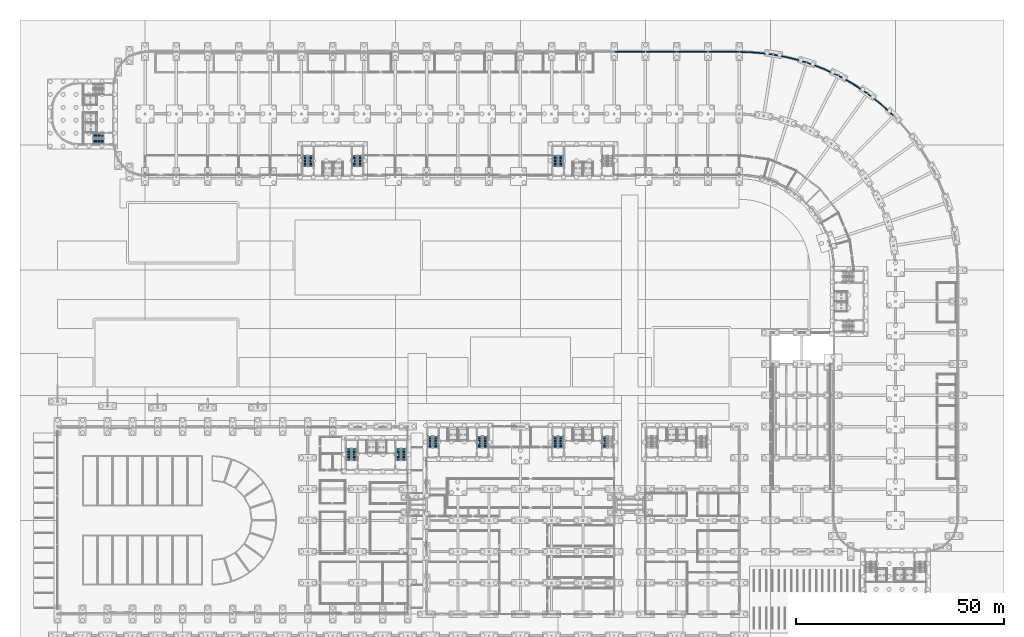
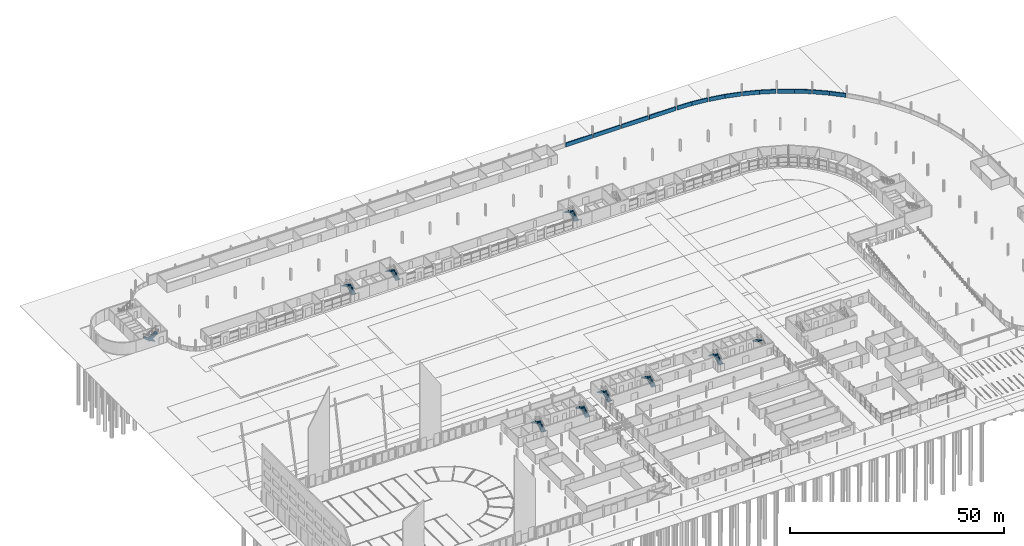
# One storey, part 95 of 130: 19 stair flights, 14 walls, 10 elements without a shape of their own.
"""IFC4 building model written with IfcOpenShell, lengths in metres."""

from ifc_helpers import new_model, si_unit, direction, frame, frame_2d, origin, place, context, subcontext, project, spatial, polyline, rectangle, outline, extrude, material, layer, layer_set, type_object, element, aggregate, save


model = new_model("IFC4")

# Units and contexts
model_context = context("Model", 3, precision=1e-05, world=origin(), true_north=direction((0.0, 1.0)))
body_context = subcontext(model_context, "Body", "Model", "MODEL_VIEW")
ifc_project = project(units=[si_unit("LENGTHUNIT", "METRE"), si_unit("AREAUNIT", "SQUARE_METRE"), si_unit("VOLUMEUNIT", "CUBIC_METRE"), si_unit("PLANEANGLEUNIT", "RADIAN"), si_unit("MASSUNIT", "GRAM", prefix="KILO")], contexts=[model_context])

# Site, building, storey
site_placement = place(None, origin())
site = spatial("IfcSite", under=ifc_project, at=site_placement, CompositionType="ELEMENT")
building_placement = place(site_placement, origin())
building = spatial("IfcBuilding", under=site, at=building_placement, Name="Parallax Yard Mobility Hub", CompositionType="ELEMENT")
storey_placement = place(building_placement, origin())
storey = spatial("IfcBuildingStorey", under=building, at=storey_placement, Name="L00", CompositionType="ELEMENT", Elevation=0.0)

# Walls
ifc_material = material(Name="Concrete fc' 35 MPa", Category="concrete")
ifc_layer = layer(ifc_material, 0.25)
ifc_layer_set = layer_set([ifc_layer], Name="Deck-edge barrier wall, Concrete fc' 35 MPa precast, 250")
wall_type = type_object("IfcWallType", Name="Deck-edge barrier wall, Concrete fc' 35 MPa precast, 250", PredefinedType="SOLIDWALL", material=ifc_layer_set)
wall_1_placement = place(storey_placement, frame((209.406494140625, 127.11376953125, 0.0), z_axis=(0.0, 0.0, 1.0), x_axis=(-0.734114815228, 0.679025358925, 0.0)))
element("IfcWall", 1, at=wall_1_placement, inside=storey, type_object=wall_type, Name="Deck-edge barrier wall bay 46-1 level L00", PredefinedType="SOLIDWALL", context=body_context, shape_type="SweptSolid", body=[
    extrude(rectangle(XDim=3.95751953125, YDim=0.25, at=frame_2d((1.978759765625, 0.0))), origin(), (0.0, 0.0, 1.0), 1.10009765625),
])
wall_2_placement = place(storey_placement, frame((206.491943359375, 129.80908203125, 0.0), z_axis=(0.0, 0.0, 1.0), x_axis=(-0.784713689724, 0.619858391215, 0.0)))
element("IfcWall", 2, at=wall_2_placement, inside=storey, type_object=wall_type, Name="Deck-edge barrier wall bay 46-2 level L00", PredefinedType="SOLIDWALL", context=body_context, shape_type="SweptSolid", body=[
    extrude(rectangle(XDim=3.95556640625, YDim=0.25, at=frame_2d((1.977783203125, 0.0))), origin(), (0.0, 0.0, 1.0), 1.10009765625),
])
wall_3_placement = place(storey_placement, frame((203.151123046875, 132.43310546875, 0.0), z_axis=(0.0, 0.0, 1.0), x_axis=(-0.832031324554, 0.554728649847, 0.0)))
element("IfcWall", 3, at=wall_3_placement, inside=storey, type_object=wall_type, Name="Deck-edge barrier wall bay 47-1 level L00", PredefinedType="SOLIDWALL", context=body_context, shape_type="SweptSolid", body=[
    extrude(rectangle(XDim=3.960205078125, YDim=0.25, at=frame_2d((1.97998046875, 0.0))), origin(), (0.0, 0.0, 1.0), 1.10009765625),
])
wall_4_placement = place(storey_placement, frame((199.845947265625, 134.63623046875, 0.0), z_axis=(0.0, 0.0, 1.0), x_axis=(-0.872642742612, 0.488359134006, 0.0)))
element("IfcWall", 4, at=wall_4_placement, inside=storey, type_object=wall_type, Name="Deck-edge barrier wall bay 47-2 level L00", PredefinedType="SOLIDWALL", context=body_context, shape_type="SweptSolid", body=[
    extrude(rectangle(XDim=3.957275390625, YDim=0.25, at=frame_2d((1.978515625, 0.0))), origin(), (0.0, 0.0, 1.0), 1.10009765625),
])
wall_5_placement = place(storey_placement, frame((196.13134765625, 136.701904296875, 0.0), z_axis=(0.0, 0.0, 1.0), x_axis=(-0.908002709575, 0.418964293711, 0.0)))
element("IfcWall", 5, at=wall_5_placement, inside=storey, type_object=wall_type, Name="Deck-edge barrier wall bay 48-1 level L00", PredefinedType="SOLIDWALL", context=body_context, shape_type="SweptSolid", body=[
    extrude(rectangle(XDim=3.957763671875, YDim=0.25, at=frame_2d((1.97900390625, 0.0))), origin(), (0.0, 0.0, 1.0), 1.10009765625),
])
wall_6_placement = place(storey_placement, frame((192.5263671875, 138.36474609375, 0.0), z_axis=(0.0, 0.0, 1.0), x_axis=(-0.937863247295, 0.347005085515, 0.0)))
element("IfcWall", 6, at=wall_6_placement, inside=storey, type_object=wall_type, Name="Deck-edge barrier wall bay 48-2 level L00", PredefinedType="SOLIDWALL", context=body_context, shape_type="SweptSolid", body=[
    extrude(rectangle(XDim=3.959716796875, YDim=0.25, at=frame_2d((1.97998046875, 0.0))), origin(), (0.0, 0.0, 1.0), 1.10009765625),
])
wall_7_placement = place(storey_placement, frame((188.5341796875, 139.8291015625, 0.0), z_axis=(0.0, 0.0, 1.0), x_axis=(-0.962709736809, 0.270536434983, 0.0)))
element("IfcWall", 7, at=wall_7_placement, inside=storey, type_object=wall_type, Name="Deck-edge barrier wall bay 49-1 level L00", PredefinedType="SOLIDWALL", context=body_context, shape_type="SweptSolid", body=[
    extrude(rectangle(XDim=3.955322265625, YDim=0.25, at=frame_2d((1.9775390625, 0.0))), origin(), (0.0, 0.0, 1.0), 1.10009765625),
])
for number, where, z_axis, x_axis, name in (
    (8, (184.71435546875, 140.902099609375, 0.0), (0.0, 0.0, 1.0), (-0.980852581132, 0.19475167287, 0.0), "Deck-edge barrier wall bay 49-2 level L00"),
    (9, (180.54296875, 141.718505859375, 0.0), (0.0, 0.0, 1.0), (-0.993026670269, 0.117889915319, 0.0), "Deck-edge barrier wall bay 50-1 level L00"),
):
    element("IfcWall", number, at=place(storey_placement, frame(where, z_axis=z_axis, x_axis=x_axis)), inside=storey, type_object=wall_type, Name=name, PredefinedType="SOLIDWALL", context=body_context, shape_type="SweptSolid", body=[
        extrude(rectangle(XDim=3.95751953125, YDim=0.25, at=frame_2d((1.978759765625, 0.0))), origin(), (0.0, 0.0, 1.0), 1.10009765625),
    ])
wall_8_placement = place(storey_placement, frame((176.60107421875, 142.18603515625, 0.0), z_axis=(0.0, 0.0, 1.0), x_axis=(-0.999190876042, 0.040219314186, 0.0)))
element("IfcWall", 10, at=wall_8_placement, inside=storey, type_object=wall_type, Name="Deck-edge barrier wall bay 50-2 level L00", PredefinedType="SOLIDWALL", context=body_context, shape_type="SweptSolid", body=[
    extrude(rectangle(XDim=3.957763671875, YDim=0.25, at=frame_2d((1.97900390625, 0.0))), origin(), (0.0, 0.0, 1.0), 1.10009765625),
])
for number, where, z_axis, x_axis, name in (
    (11, (172.347412109375, 142.351318359375, 0.0), (0.0, 0.0, 1.0), (-1.0, 0.0, 0.0), "Deck-edge barrier wall bay 51 level L00"),
    (12, (164.847412109375, 142.351318359375, 0.0), (0.0, 0.0, 1.0), (-1.0, 0.0, 0.0), "Deck-edge barrier wall bay 52 level L00"),
    (13, (157.347412109375, 142.351318359375, 0.0), (0.0, 0.0, 1.0), (-1.0, 0.0, 0.0), "Deck-edge barrier wall bay 53 level L00"),
    (14, (149.847412109375, 142.351318359375, 0.0), (0.0, 0.0, 1.0), (-1.0, 0.0, 0.0), "Deck-edge barrier wall bay 54 level L00"),
):
    element("IfcWall", number, at=place(storey_placement, frame(where, z_axis=z_axis, x_axis=x_axis)), inside=storey, type_object=wall_type, Name=name, PredefinedType="SOLIDWALL", context=body_context, shape_type="SweptSolid", body=[
        extrude(rectangle(XDim=7.19482421875, YDim=0.25, at=frame_2d((3.597412109375, 0.0))), origin(), (0.0, 0.0, 1.0), 1.10009765625),
    ])

# Stair, stair flights
stair_type_1 = type_object("IfcStairType", Name="Exit stair 1200 dog-leg", PredefinedType="HALF_TURN_STAIR", material=ifc_material)
stair_1_placement = place(storey_placement, origin())
stair_1 = element("IfcStair", 15, at=stair_1_placement, inside=storey, type_object=stair_type_1, Name="L00 Exit stair 1 of core C-W", PredefinedType="HALF_TURN_STAIR")
stair_flight_type_1 = type_object("IfcStairFlightType", Name="Exit stair flight 1200", PredefinedType="STRAIGHT", material=ifc_material)
stair_flight_1_placement = place(storey_placement, frame((20.10009765625, 122.25, 0.0), z_axis=(0.0, 0.0, 1.0), x_axis=(-1.0, 0.0, 0.0)))
stair_flight_1 = element("IfcStairFlight", 16, at=stair_flight_1_placement, type_object=stair_flight_type_1, Name="ST1 flight 1", NumberOfRisers=10, NumberOfTreads=9, PredefinedType="STRAIGHT", RiserHeight=0.165, TreadLength=0.285, context=body_context, shape_type="SweptSolid", body=[
    extrude(outline(polyline([(0.0, 0.0), (0.0, 0.1650390625), (0.284912109375, 0.1650390625), (0.284912109375, 0.330078125), (0.570068359375, 0.330078125), (0.570068359375, 0.4951171875), (0.85498046875, 0.4951171875), (0.85498046875, 0.659912109375), (1.139892578125, 0.659912109375), (1.139892578125, 0.824951171875), (1.425048828125, 0.824951171875), (1.425048828125, 0.989990234375), (1.7099609375, 0.989990234375), (1.7099609375, 1.155029296875), (1.9951171875, 1.155029296875), (1.9951171875, 1.320068359375), (2.280029296875, 1.320068359375), (2.280029296875, 1.485107421875), (2.56494140625, 1.485107421875), (2.56494140625, 1.64990234375), (2.56494140625, 1.311767578125), (0.299072265625, 0.0), (0.0, 0.0)])), frame((0.0, 0.60009765625, 0.0), z_axis=(0.0, -1.0, 0.0), x_axis=(1.0, 0.0, 0.0)), (0.0, 0.0, 1.0), 1.199951171875),
])
stair_flight_2_placement = place(storey_placement, frame((17.534912109375, 120.89990234375, 1.64990234375), z_axis=(0.0, 0.0, 1.0), x_axis=(1.0, 0.0, 0.0)))
stair_flight_2 = element("IfcStairFlight", 17, at=stair_flight_2_placement, type_object=stair_flight_type_1, Name="ST1 flight 2", NumberOfRisers=10, NumberOfTreads=9, PredefinedType="STRAIGHT", RiserHeight=0.165, TreadLength=0.285, context=body_context, shape_type="SweptSolid", body=[
    extrude(outline(polyline([(0.0, 0.0), (0.0, 0.1650390625), (0.284912109375, 0.1650390625), (0.284912109375, 0.330078125), (0.570068359375, 0.330078125), (0.570068359375, 0.4951171875), (0.85498046875, 0.4951171875), (0.85498046875, 0.659912109375), (1.139892578125, 0.659912109375), (1.139892578125, 0.824951171875), (1.425048828125, 0.824951171875), (1.425048828125, 0.989990234375), (1.7099609375, 0.989990234375), (1.7099609375, 1.155029296875), (1.9951171875, 1.155029296875), (1.9951171875, 1.320068359375), (2.280029296875, 1.320068359375), (2.280029296875, 1.485107421875), (2.56494140625, 1.485107421875), (2.56494140625, 1.64990234375), (2.56494140625, 1.311767578125), (0.299072265625, 0.0), (0.0, 0.0)])), frame((0.0, 0.60009765625, 0.0), z_axis=(0.0, -1.0, 0.0), x_axis=(1.0, 0.0, 0.0)), (0.0, 0.0, 1.0), 1.199951171875),
])
aggregate(stair_1, [stair_flight_1, stair_flight_2])

stair_2_placement = place(storey_placement, origin())
stair_2 = element("IfcStair", 18, at=stair_2_placement, inside=storey, type_object=stair_type_1, Name="L00 Exit stair 1 of core C-N1", PredefinedType="HALF_TURN_STAIR")
stair_flight_3_placement = place(storey_placement, frame((81.60009765625, 114.89990234375, 0.0), z_axis=(0.0, 0.0, 1.0), x_axis=(0.0, 1.0, 0.0)))
stair_flight_3 = element("IfcStairFlight", 19, at=stair_flight_3_placement, type_object=stair_flight_type_1, Name="ST3 flight 1", NumberOfRisers=10, NumberOfTreads=9, PredefinedType="STRAIGHT", RiserHeight=0.165, TreadLength=0.285, context=body_context, shape_type="SweptSolid", body=[
    extrude(outline(polyline([(0.0, 0.0), (0.0, 0.1650390625), (0.284912109375, 0.1650390625), (0.284912109375, 0.330078125), (0.570068359375, 0.330078125), (0.570068359375, 0.4951171875), (0.85498046875, 0.4951171875), (0.85498046875, 0.659912109375), (1.139892578125, 0.659912109375), (1.139892578125, 0.824951171875), (1.425048828125, 0.824951171875), (1.425048828125, 0.989990234375), (1.7099609375, 0.989990234375), (1.7099609375, 1.155029296875), (1.9951171875, 1.155029296875), (1.9951171875, 1.320068359375), (2.280029296875, 1.320068359375), (2.280029296875, 1.485107421875), (2.56494140625, 1.485107421875), (2.56494140625, 1.64990234375), (2.56494140625, 1.311767578125), (0.299072265625, 0.0), (0.0, 0.0)])), frame((0.0, 0.60009765625, 0.0), z_axis=(0.0, -1.0, 0.0), x_axis=(1.0, 0.0, 0.0)), (0.0, 0.0, 1.0), 1.199951171875),
])
stair_flight_4_placement = place(storey_placement, frame((80.25, 117.465087890625, 1.64990234375), z_axis=(0.0, 0.0, 1.0), x_axis=(0.0, -1.0, 0.0)))
stair_flight_4 = element("IfcStairFlight", 20, at=stair_flight_4_placement, type_object=stair_flight_type_1, Name="ST3 flight 2", NumberOfRisers=10, NumberOfTreads=9, PredefinedType="STRAIGHT", RiserHeight=0.165, TreadLength=0.285, context=body_context, shape_type="SweptSolid", body=[
    extrude(outline(polyline([(0.0, 0.0), (0.0, 0.1650390625), (0.284912109375, 0.1650390625), (0.284912109375, 0.330078125), (0.570068359375, 0.330078125), (0.570068359375, 0.4951171875), (0.85498046875, 0.4951171875), (0.85498046875, 0.659912109375), (1.139892578125, 0.659912109375), (1.139892578125, 0.824951171875), (1.425048828125, 0.824951171875), (1.425048828125, 0.989990234375), (1.7099609375, 0.989990234375), (1.7099609375, 1.155029296875), (1.9951171875, 1.155029296875), (1.9951171875, 1.320068359375), (2.280029296875, 1.320068359375), (2.280029296875, 1.485107421875), (2.56494140625, 1.485107421875), (2.56494140625, 1.64990234375), (2.56494140625, 1.311767578125), (0.299072265625, 0.0), (0.0, 0.0)])), frame((0.0, 0.60009765625, 0.0), z_axis=(0.0, -1.0, 0.0), x_axis=(1.0, 0.0, 0.0)), (0.0, 0.0, 1.0), 1.199951171875),
])
aggregate(stair_2, [stair_flight_3, stair_flight_4])

stair_3_placement = place(storey_placement, origin())
stair_3 = element("IfcStair", 21, at=stair_3_placement, inside=storey, type_object=stair_type_1, Name="L00 Exit stair 2 of core C-N1", PredefinedType="HALF_TURN_STAIR")
stair_flight_5_placement = place(storey_placement, frame((69.75, 114.89990234375, 0.0), z_axis=(0.0, 0.0, 1.0), x_axis=(0.0, 1.0, 0.0)))
stair_flight_5 = element("IfcStairFlight", 22, at=stair_flight_5_placement, type_object=stair_flight_type_1, Name="ST4 flight 1", NumberOfRisers=10, NumberOfTreads=9, PredefinedType="STRAIGHT", RiserHeight=0.165, TreadLength=0.285, context=body_context, shape_type="SweptSolid", body=[
    extrude(outline(polyline([(0.0, 0.0), (0.0, 0.1650390625), (0.284912109375, 0.1650390625), (0.284912109375, 0.330078125), (0.570068359375, 0.330078125), (0.570068359375, 0.4951171875), (0.85498046875, 0.4951171875), (0.85498046875, 0.659912109375), (1.139892578125, 0.659912109375), (1.139892578125, 0.824951171875), (1.425048828125, 0.824951171875), (1.425048828125, 0.989990234375), (1.7099609375, 0.989990234375), (1.7099609375, 1.155029296875), (1.9951171875, 1.155029296875), (1.9951171875, 1.320068359375), (2.280029296875, 1.320068359375), (2.280029296875, 1.485107421875), (2.56494140625, 1.485107421875), (2.56494140625, 1.64990234375), (2.56494140625, 1.311767578125), (0.299072265625, 0.0), (0.0, 0.0)])), frame((0.0, 0.60009765625, 0.0), z_axis=(0.0, -1.0, 0.0), x_axis=(1.0, 0.0, 0.0)), (0.0, 0.0, 1.0), 1.199951171875),
])
stair_flight_6_placement = place(storey_placement, frame((68.39990234375, 117.465087890625, 1.64990234375), z_axis=(0.0, 0.0, 1.0), x_axis=(0.0, -1.0, 0.0)))
stair_flight_6 = element("IfcStairFlight", 23, at=stair_flight_6_placement, type_object=stair_flight_type_1, Name="ST4 flight 2", NumberOfRisers=10, NumberOfTreads=9, PredefinedType="STRAIGHT", RiserHeight=0.165, TreadLength=0.285, context=body_context, shape_type="SweptSolid", body=[
    extrude(outline(polyline([(0.0, 0.0), (0.0, 0.1650390625), (0.284912109375, 0.1650390625), (0.284912109375, 0.330078125), (0.570068359375, 0.330078125), (0.570068359375, 0.4951171875), (0.85498046875, 0.4951171875), (0.85498046875, 0.659912109375), (1.139892578125, 0.659912109375), (1.139892578125, 0.824951171875), (1.425048828125, 0.824951171875), (1.425048828125, 0.989990234375), (1.7099609375, 0.989990234375), (1.7099609375, 1.155029296875), (1.9951171875, 1.155029296875), (1.9951171875, 1.320068359375), (2.280029296875, 1.320068359375), (2.280029296875, 1.485107421875), (2.56494140625, 1.485107421875), (2.56494140625, 1.64990234375), (2.56494140625, 1.311767578125), (0.299072265625, 0.0), (0.0, 0.0)])), frame((0.0, 0.60009765625, 0.0), z_axis=(0.0, -1.0, 0.0), x_axis=(1.0, 0.0, 0.0)), (0.0, 0.0, 1.0), 1.199951171875),
])
aggregate(stair_3, [stair_flight_5, stair_flight_6])

stair_4_placement = place(storey_placement, origin())
stair_4 = element("IfcStair", 24, at=stair_4_placement, inside=storey, type_object=stair_type_1, Name="L00 Exit stair 2 of core C-N2", PredefinedType="HALF_TURN_STAIR")
stair_flight_7_placement = place(storey_placement, frame((129.75, 114.89990234375, 0.0), z_axis=(0.0, 0.0, 1.0), x_axis=(0.0, 1.0, 0.0)))
stair_flight_7 = element("IfcStairFlight", 25, at=stair_flight_7_placement, type_object=stair_flight_type_1, Name="ST6 flight 1", NumberOfRisers=10, NumberOfTreads=9, PredefinedType="STRAIGHT", RiserHeight=0.165, TreadLength=0.285, context=body_context, shape_type="SweptSolid", body=[
    extrude(outline(polyline([(0.0, 0.0), (0.0, 0.1650390625), (0.284912109375, 0.1650390625), (0.284912109375, 0.330078125), (0.570068359375, 0.330078125), (0.570068359375, 0.4951171875), (0.85498046875, 0.4951171875), (0.85498046875, 0.659912109375), (1.139892578125, 0.659912109375), (1.139892578125, 0.824951171875), (1.425048828125, 0.824951171875), (1.425048828125, 0.989990234375), (1.7099609375, 0.989990234375), (1.7099609375, 1.155029296875), (1.9951171875, 1.155029296875), (1.9951171875, 1.320068359375), (2.280029296875, 1.320068359375), (2.280029296875, 1.485107421875), (2.56494140625, 1.485107421875), (2.56494140625, 1.64990234375), (2.56494140625, 1.311767578125), (0.299072265625, 0.0), (0.0, 0.0)])), frame((0.0, 0.60009765625, 0.0), z_axis=(0.0, -1.0, 0.0), x_axis=(1.0, 0.0, 0.0)), (0.0, 0.0, 1.0), 1.199951171875),
])
stair_flight_8_placement = place(storey_placement, frame((128.39990234375, 117.465087890625, 1.64990234375), z_axis=(0.0, 0.0, 1.0), x_axis=(0.0, -1.0, 0.0)))
stair_flight_8 = element("IfcStairFlight", 26, at=stair_flight_8_placement, type_object=stair_flight_type_1, Name="ST6 flight 2", NumberOfRisers=10, NumberOfTreads=9, PredefinedType="STRAIGHT", RiserHeight=0.165, TreadLength=0.285, context=body_context, shape_type="SweptSolid", body=[
    extrude(outline(polyline([(0.0, 0.0), (0.0, 0.1650390625), (0.284912109375, 0.1650390625), (0.284912109375, 0.330078125), (0.570068359375, 0.330078125), (0.570068359375, 0.4951171875), (0.85498046875, 0.4951171875), (0.85498046875, 0.659912109375), (1.139892578125, 0.659912109375), (1.139892578125, 0.824951171875), (1.425048828125, 0.824951171875), (1.425048828125, 0.989990234375), (1.7099609375, 0.989990234375), (1.7099609375, 1.155029296875), (1.9951171875, 1.155029296875), (1.9951171875, 1.320068359375), (2.280029296875, 1.320068359375), (2.280029296875, 1.485107421875), (2.56494140625, 1.485107421875), (2.56494140625, 1.64990234375), (2.56494140625, 1.311767578125), (0.299072265625, 0.0), (0.0, 0.0)])), frame((0.0, 0.60009765625, 0.0), z_axis=(0.0, -1.0, 0.0), x_axis=(1.0, 0.0, 0.0)), (0.0, 0.0, 1.0), 1.199951171875),
])
aggregate(stair_4, [stair_flight_7, stair_flight_8])

stair_type_2 = type_object("IfcStairType", Name="Public hall stair 1200 dog-leg", PredefinedType="HALF_TURN_STAIR", material=ifc_material)
stair_5_placement = place(storey_placement, origin())
stair_5 = element("IfcStair", 27, at=stair_5_placement, inside=storey, type_object=stair_type_2, Name="L00 Exit stair 1 of core C1", PredefinedType="HALF_TURN_STAIR")
stair_flight_type_2 = type_object("IfcStairFlightType", Name="Public hall stair flight 1200", PredefinedType="STRAIGHT", material=ifc_material)
stair_flight_9_placement = place(storey_placement, frame((80.25, 44.39990234375, 0.0), z_axis=(0.0, 0.0, 1.0), x_axis=(0.0, 1.0, 0.0)))
stair_flight_9 = element("IfcStairFlight", 28, at=stair_flight_9_placement, type_object=stair_flight_type_2, Name="ST17 flight 1", NumberOfRisers=10, NumberOfTreads=9, PredefinedType="STRAIGHT", RiserHeight=0.165, TreadLength=0.31, context=body_context, shape_type="SweptSolid", body=[
    extrude(outline(polyline([(0.0, 0.0), (0.0, 0.1650390625), (0.31005859375, 0.1650390625), (0.31005859375, 0.330078125), (0.6201171875, 0.330078125), (0.6201171875, 0.4951171875), (0.929931640625, 0.4951171875), (0.929931640625, 0.659912109375), (1.239990234375, 0.659912109375), (1.239990234375, 0.824951171875), (1.550048828125, 0.824951171875), (1.550048828125, 0.989990234375), (1.860107421875, 0.989990234375), (1.860107421875, 1.155029296875), (2.169921875, 1.155029296875), (2.169921875, 1.320068359375), (2.47998046875, 1.320068359375), (2.47998046875, 1.485107421875), (2.7900390625, 1.485107421875), (2.7900390625, 1.64990234375), (2.7900390625, 1.315185546875), (0.319091796875, 0.0), (0.0, 0.0)])), frame((0.0, 0.60009765625, 0.0), z_axis=(0.0, -1.0, 0.0), x_axis=(1.0, 0.0, 0.0)), (0.0, 0.0, 1.0), 1.199951171875),
])
stair_flight_10_placement = place(storey_placement, frame((78.89990234375, 47.18994140625, 1.64990234375), z_axis=(0.0, 0.0, 1.0), x_axis=(0.0, -1.0, 0.0)))
stair_flight_10 = element("IfcStairFlight", 29, at=stair_flight_10_placement, type_object=stair_flight_type_2, Name="ST17 flight 2", NumberOfRisers=10, NumberOfTreads=9, PredefinedType="STRAIGHT", RiserHeight=0.165, TreadLength=0.31, context=body_context, shape_type="SweptSolid", body=[
    extrude(outline(polyline([(0.0, 0.0), (0.0, 0.1650390625), (0.31005859375, 0.1650390625), (0.31005859375, 0.330078125), (0.6201171875, 0.330078125), (0.6201171875, 0.4951171875), (0.929931640625, 0.4951171875), (0.929931640625, 0.659912109375), (1.239990234375, 0.659912109375), (1.239990234375, 0.824951171875), (1.550048828125, 0.824951171875), (1.550048828125, 0.989990234375), (1.860107421875, 0.989990234375), (1.860107421875, 1.155029296875), (2.169921875, 1.155029296875), (2.169921875, 1.320068359375), (2.47998046875, 1.320068359375), (2.47998046875, 1.485107421875), (2.7900390625, 1.485107421875), (2.7900390625, 1.64990234375), (2.7900390625, 1.315185546875), (0.319091796875, 0.0), (0.0, 0.0)])), frame((0.0, 0.60009765625, 0.0), z_axis=(0.0, -1.0, 0.0), x_axis=(1.0, 0.0, 0.0)), (0.0, 0.0, 1.0), 1.199951171875),
])
aggregate(stair_5, [stair_flight_9, stair_flight_10])

stair_6_placement = place(storey_placement, origin())
stair_6 = element("IfcStair", 30, at=stair_6_placement, inside=storey, type_object=stair_type_2, Name="L00 Exit stair 2 of core C1", PredefinedType="HALF_TURN_STAIR")
stair_flight_11_placement = place(storey_placement, frame((92.10009765625, 44.39990234375, 0.0), z_axis=(0.0, 0.0, 1.0), x_axis=(0.0, 1.0, 0.0)))
stair_flight_11 = element("IfcStairFlight", 31, at=stair_flight_11_placement, type_object=stair_flight_type_2, Name="ST18 flight 1", NumberOfRisers=10, NumberOfTreads=9, PredefinedType="STRAIGHT", RiserHeight=0.165, TreadLength=0.31, context=body_context, shape_type="SweptSolid", body=[
    extrude(outline(polyline([(0.0, 0.0), (0.0, 0.1650390625), (0.31005859375, 0.1650390625), (0.31005859375, 0.330078125), (0.6201171875, 0.330078125), (0.6201171875, 0.4951171875), (0.929931640625, 0.4951171875), (0.929931640625, 0.659912109375), (1.239990234375, 0.659912109375), (1.239990234375, 0.824951171875), (1.550048828125, 0.824951171875), (1.550048828125, 0.989990234375), (1.860107421875, 0.989990234375), (1.860107421875, 1.155029296875), (2.169921875, 1.155029296875), (2.169921875, 1.320068359375), (2.47998046875, 1.320068359375), (2.47998046875, 1.485107421875), (2.7900390625, 1.485107421875), (2.7900390625, 1.64990234375), (2.7900390625, 1.315185546875), (0.319091796875, 0.0), (0.0, 0.0)])), frame((0.0, 0.60009765625, 0.0), z_axis=(0.0, -1.0, 0.0), x_axis=(1.0, 0.0, 0.0)), (0.0, 0.0, 1.0), 1.199951171875),
])
stair_flight_12_placement = place(storey_placement, frame((90.75, 47.18994140625, 1.64990234375), z_axis=(0.0, 0.0, 1.0), x_axis=(0.0, -1.0, 0.0)))
stair_flight_12 = element("IfcStairFlight", 32, at=stair_flight_12_placement, type_object=stair_flight_type_2, Name="ST18 flight 2", NumberOfRisers=10, NumberOfTreads=9, PredefinedType="STRAIGHT", RiserHeight=0.165, TreadLength=0.31, context=body_context, shape_type="SweptSolid", body=[
    extrude(outline(polyline([(0.0, 0.0), (0.0, 0.1650390625), (0.31005859375, 0.1650390625), (0.31005859375, 0.330078125), (0.6201171875, 0.330078125), (0.6201171875, 0.4951171875), (0.929931640625, 0.4951171875), (0.929931640625, 0.659912109375), (1.239990234375, 0.659912109375), (1.239990234375, 0.824951171875), (1.550048828125, 0.824951171875), (1.550048828125, 0.989990234375), (1.860107421875, 0.989990234375), (1.860107421875, 1.155029296875), (2.169921875, 1.155029296875), (2.169921875, 1.320068359375), (2.47998046875, 1.320068359375), (2.47998046875, 1.485107421875), (2.7900390625, 1.485107421875), (2.7900390625, 1.64990234375), (2.7900390625, 1.315185546875), (0.319091796875, 0.0), (0.0, 0.0)])), frame((0.0, 0.60009765625, 0.0), z_axis=(0.0, -1.0, 0.0), x_axis=(1.0, 0.0, 0.0)), (0.0, 0.0, 1.0), 1.199951171875),
])
aggregate(stair_6, [stair_flight_11, stair_flight_12])

stair_type_3 = type_object("IfcStairType", Name="Sports deck stair 1200 dog-leg", PredefinedType="HALF_TURN_STAIR", material=ifc_material)
stair_7_placement = place(storey_placement, origin())
stair_7 = element("IfcStair", 33, at=stair_7_placement, inside=storey, type_object=stair_type_3, Name="L00 Exit stair 1 of core C6-W", PredefinedType="HALF_TURN_STAIR")
stair_flight_type_3 = type_object("IfcStairFlightType", Name="Sports deck stair flight 1200", PredefinedType="STRAIGHT", material=ifc_material)
stair_flight_13_placement = place(storey_placement, frame((99.75, 47.39990234375, 0.0), z_axis=(0.0, 0.0, 1.0), x_axis=(0.0, 1.0, 0.0)))
stair_flight_13 = element("IfcStairFlight", 34, at=stair_flight_13_placement, type_object=stair_flight_type_3, Name="ST11 flight 1", NumberOfRisers=10, NumberOfTreads=9, PredefinedType="STRAIGHT", RiserHeight=0.165, TreadLength=0.3, context=body_context, shape_type="SweptSolid", body=[
    extrude(outline(polyline([(0.0, 0.0), (0.0, 0.1650390625), (0.300048828125, 0.1650390625), (0.300048828125, 0.330078125), (0.60009765625, 0.330078125), (0.60009765625, 0.4951171875), (0.89990234375, 0.4951171875), (0.89990234375, 0.659912109375), (1.199951171875, 0.659912109375), (1.199951171875, 0.824951171875), (1.5, 0.824951171875), (1.5, 0.989990234375), (1.800048828125, 0.989990234375), (1.800048828125, 1.155029296875), (2.10009765625, 1.155029296875), (2.10009765625, 1.320068359375), (2.39990234375, 1.320068359375), (2.39990234375, 1.485107421875), (2.699951171875, 1.485107421875), (2.699951171875, 1.64990234375), (2.699951171875, 1.31396484375), (0.31103515625, 0.0), (0.0, 0.0)])), frame((0.0, 0.60009765625, 0.0), z_axis=(0.0, -1.0, 0.0), x_axis=(1.0, 0.0, 0.0)), (0.0, 0.0, 1.0), 1.199951171875),
])
stair_flight_14_placement = place(storey_placement, frame((98.39990234375, 50.10009765625, 1.64990234375), z_axis=(0.0, 0.0, 1.0), x_axis=(0.0, -1.0, 0.0)))
stair_flight_14 = element("IfcStairFlight", 35, at=stair_flight_14_placement, type_object=stair_flight_type_3, Name="ST11 flight 2", NumberOfRisers=10, NumberOfTreads=9, PredefinedType="STRAIGHT", RiserHeight=0.165, TreadLength=0.3, context=body_context, shape_type="SweptSolid", body=[
    extrude(outline(polyline([(0.0, 0.0), (0.0, 0.1650390625), (0.300048828125, 0.1650390625), (0.300048828125, 0.330078125), (0.60009765625, 0.330078125), (0.60009765625, 0.4951171875), (0.89990234375, 0.4951171875), (0.89990234375, 0.659912109375), (1.199951171875, 0.659912109375), (1.199951171875, 0.824951171875), (1.5, 0.824951171875), (1.5, 0.989990234375), (1.800048828125, 0.989990234375), (1.800048828125, 1.155029296875), (2.10009765625, 1.155029296875), (2.10009765625, 1.320068359375), (2.39990234375, 1.320068359375), (2.39990234375, 1.485107421875), (2.699951171875, 1.485107421875), (2.699951171875, 1.64990234375), (2.699951171875, 1.31396484375), (0.31103515625, 0.0), (0.0, 0.0)])), frame((0.0, 0.60009765625, 0.0), z_axis=(0.0, -1.0, 0.0), x_axis=(1.0, 0.0, 0.0)), (0.0, 0.0, 1.0), 1.199951171875),
])
aggregate(stair_7, [stair_flight_13, stair_flight_14])

stair_8_placement = place(storey_placement, origin())
stair_8 = element("IfcStair", 36, at=stair_8_placement, inside=storey, type_object=stair_type_3, Name="L00 Exit stair 2 of core C6-W", PredefinedType="HALF_TURN_STAIR")
stair_flight_15_placement = place(storey_placement, frame((111.60009765625, 47.39990234375, 0.0), z_axis=(0.0, 0.0, 1.0), x_axis=(0.0, 1.0, 0.0)))
stair_flight_15 = element("IfcStairFlight", 37, at=stair_flight_15_placement, type_object=stair_flight_type_3, Name="ST12 flight 1", NumberOfRisers=10, NumberOfTreads=9, PredefinedType="STRAIGHT", RiserHeight=0.165, TreadLength=0.3, context=body_context, shape_type="SweptSolid", body=[
    extrude(outline(polyline([(0.0, 0.0), (0.0, 0.1650390625), (0.300048828125, 0.1650390625), (0.300048828125, 0.330078125), (0.60009765625, 0.330078125), (0.60009765625, 0.4951171875), (0.89990234375, 0.4951171875), (0.89990234375, 0.659912109375), (1.199951171875, 0.659912109375), (1.199951171875, 0.824951171875), (1.5, 0.824951171875), (1.5, 0.989990234375), (1.800048828125, 0.989990234375), (1.800048828125, 1.155029296875), (2.10009765625, 1.155029296875), (2.10009765625, 1.320068359375), (2.39990234375, 1.320068359375), (2.39990234375, 1.485107421875), (2.699951171875, 1.485107421875), (2.699951171875, 1.64990234375), (2.699951171875, 1.31396484375), (0.31103515625, 0.0), (0.0, 0.0)])), frame((0.0, 0.60009765625, 0.0), z_axis=(0.0, -1.0, 0.0), x_axis=(1.0, 0.0, 0.0)), (0.0, 0.0, 1.0), 1.199951171875),
])
stair_flight_16_placement = place(storey_placement, frame((110.25, 50.10009765625, 1.64990234375), z_axis=(0.0, 0.0, 1.0), x_axis=(0.0, -1.0, 0.0)))
stair_flight_16 = element("IfcStairFlight", 38, at=stair_flight_16_placement, type_object=stair_flight_type_3, Name="ST12 flight 2", NumberOfRisers=10, NumberOfTreads=9, PredefinedType="STRAIGHT", RiserHeight=0.165, TreadLength=0.3, context=body_context, shape_type="SweptSolid", body=[
    extrude(outline(polyline([(0.0, 0.0), (0.0, 0.1650390625), (0.300048828125, 0.1650390625), (0.300048828125, 0.330078125), (0.60009765625, 0.330078125), (0.60009765625, 0.4951171875), (0.89990234375, 0.4951171875), (0.89990234375, 0.659912109375), (1.199951171875, 0.659912109375), (1.199951171875, 0.824951171875), (1.5, 0.824951171875), (1.5, 0.989990234375), (1.800048828125, 0.989990234375), (1.800048828125, 1.155029296875), (2.10009765625, 1.155029296875), (2.10009765625, 1.320068359375), (2.39990234375, 1.320068359375), (2.39990234375, 1.485107421875), (2.699951171875, 1.485107421875), (2.699951171875, 1.64990234375), (2.699951171875, 1.31396484375), (0.31103515625, 0.0), (0.0, 0.0)])), frame((0.0, 0.60009765625, 0.0), z_axis=(0.0, -1.0, 0.0), x_axis=(1.0, 0.0, 0.0)), (0.0, 0.0, 1.0), 1.199951171875),
])
aggregate(stair_8, [stair_flight_15, stair_flight_16])

stair_9_placement = place(storey_placement, origin())
stair_9 = element("IfcStair", 39, at=stair_9_placement, inside=storey, type_object=stair_type_3, Name="L00 Exit stair 1 of core C6-E", PredefinedType="HALF_TURN_STAIR")
stair_flight_17_placement = place(storey_placement, frame((129.75, 47.39990234375, 0.0), z_axis=(0.0, 0.0, 1.0), x_axis=(0.0, 1.0, 0.0)))
stair_flight_17 = element("IfcStairFlight", 40, at=stair_flight_17_placement, type_object=stair_flight_type_3, Name="ST13 flight 1", NumberOfRisers=10, NumberOfTreads=9, PredefinedType="STRAIGHT", RiserHeight=0.165, TreadLength=0.3, context=body_context, shape_type="SweptSolid", body=[
    extrude(outline(polyline([(0.0, 0.0), (0.0, 0.1650390625), (0.300048828125, 0.1650390625), (0.300048828125, 0.330078125), (0.60009765625, 0.330078125), (0.60009765625, 0.4951171875), (0.89990234375, 0.4951171875), (0.89990234375, 0.659912109375), (1.199951171875, 0.659912109375), (1.199951171875, 0.824951171875), (1.5, 0.824951171875), (1.5, 0.989990234375), (1.800048828125, 0.989990234375), (1.800048828125, 1.155029296875), (2.10009765625, 1.155029296875), (2.10009765625, 1.320068359375), (2.39990234375, 1.320068359375), (2.39990234375, 1.485107421875), (2.699951171875, 1.485107421875), (2.699951171875, 1.64990234375), (2.699951171875, 1.31396484375), (0.31103515625, 0.0), (0.0, 0.0)])), frame((0.0, 0.60009765625, 0.0), z_axis=(0.0, -1.0, 0.0), x_axis=(1.0, 0.0, 0.0)), (0.0, 0.0, 1.0), 1.199951171875),
])
stair_flight_18_placement = place(storey_placement, frame((128.39990234375, 50.10009765625, 1.64990234375), z_axis=(0.0, 0.0, 1.0), x_axis=(0.0, -1.0, 0.0)))
stair_flight_18 = element("IfcStairFlight", 41, at=stair_flight_18_placement, type_object=stair_flight_type_3, Name="ST13 flight 2", NumberOfRisers=10, NumberOfTreads=9, PredefinedType="STRAIGHT", RiserHeight=0.165, TreadLength=0.3, context=body_context, shape_type="SweptSolid", body=[
    extrude(outline(polyline([(0.0, 0.0), (0.0, 0.1650390625), (0.300048828125, 0.1650390625), (0.300048828125, 0.330078125), (0.60009765625, 0.330078125), (0.60009765625, 0.4951171875), (0.89990234375, 0.4951171875), (0.89990234375, 0.659912109375), (1.199951171875, 0.659912109375), (1.199951171875, 0.824951171875), (1.5, 0.824951171875), (1.5, 0.989990234375), (1.800048828125, 0.989990234375), (1.800048828125, 1.155029296875), (2.10009765625, 1.155029296875), (2.10009765625, 1.320068359375), (2.39990234375, 1.320068359375), (2.39990234375, 1.485107421875), (2.699951171875, 1.485107421875), (2.699951171875, 1.64990234375), (2.699951171875, 1.31396484375), (0.31103515625, 0.0), (0.0, 0.0)])), frame((0.0, 0.60009765625, 0.0), z_axis=(0.0, -1.0, 0.0), x_axis=(1.0, 0.0, 0.0)), (0.0, 0.0, 1.0), 1.199951171875),
])
aggregate(stair_9, [stair_flight_17, stair_flight_18])

# Stair, stair flight
stair_10_placement = place(storey_placement, origin())
stair_10 = element("IfcStair", 42, at=stair_10_placement, inside=storey, type_object=stair_type_3, Name="L00 Exit stair 2 of core C6-E", PredefinedType="HALF_TURN_STAIR")
stair_flight_19_placement = place(storey_placement, frame((140.25, 50.10009765625, 1.64990234375), z_axis=(0.0, 0.0, 1.0), x_axis=(0.0, -1.0, 0.0)))
stair_flight_19 = element("IfcStairFlight", 43, at=stair_flight_19_placement, type_object=stair_flight_type_3, Name="ST14 flight 2", NumberOfRisers=10, NumberOfTreads=9, PredefinedType="STRAIGHT", RiserHeight=0.165, TreadLength=0.3, context=body_context, shape_type="SweptSolid", body=[
    extrude(outline(polyline([(0.0, 0.0), (0.0, 0.1650390625), (0.300048828125, 0.1650390625), (0.300048828125, 0.330078125), (0.60009765625, 0.330078125), (0.60009765625, 0.4951171875), (0.89990234375, 0.4951171875), (0.89990234375, 0.659912109375), (1.199951171875, 0.659912109375), (1.199951171875, 0.824951171875), (1.5, 0.824951171875), (1.5, 0.989990234375), (1.800048828125, 0.989990234375), (1.800048828125, 1.155029296875), (2.10009765625, 1.155029296875), (2.10009765625, 1.320068359375), (2.39990234375, 1.320068359375), (2.39990234375, 1.485107421875), (2.699951171875, 1.485107421875), (2.699951171875, 1.64990234375), (2.699951171875, 1.31396484375), (0.31103515625, 0.0), (0.0, 0.0)])), frame((0.0, 0.60009765625, 0.0), z_axis=(0.0, -1.0, 0.0), x_axis=(1.0, 0.0, 0.0)), (0.0, 0.0, 1.0), 1.199951171875),
])
aggregate(stair_10, [stair_flight_19])

save(model, "model.ifc")
